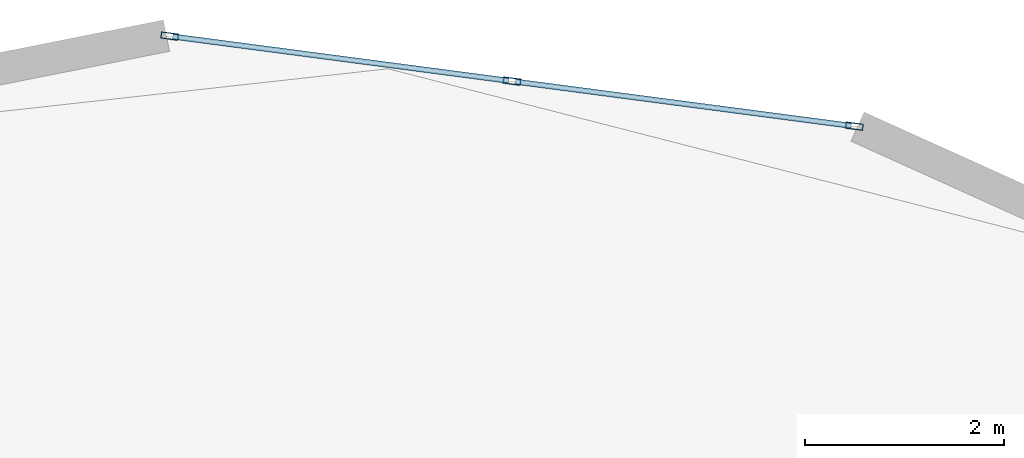
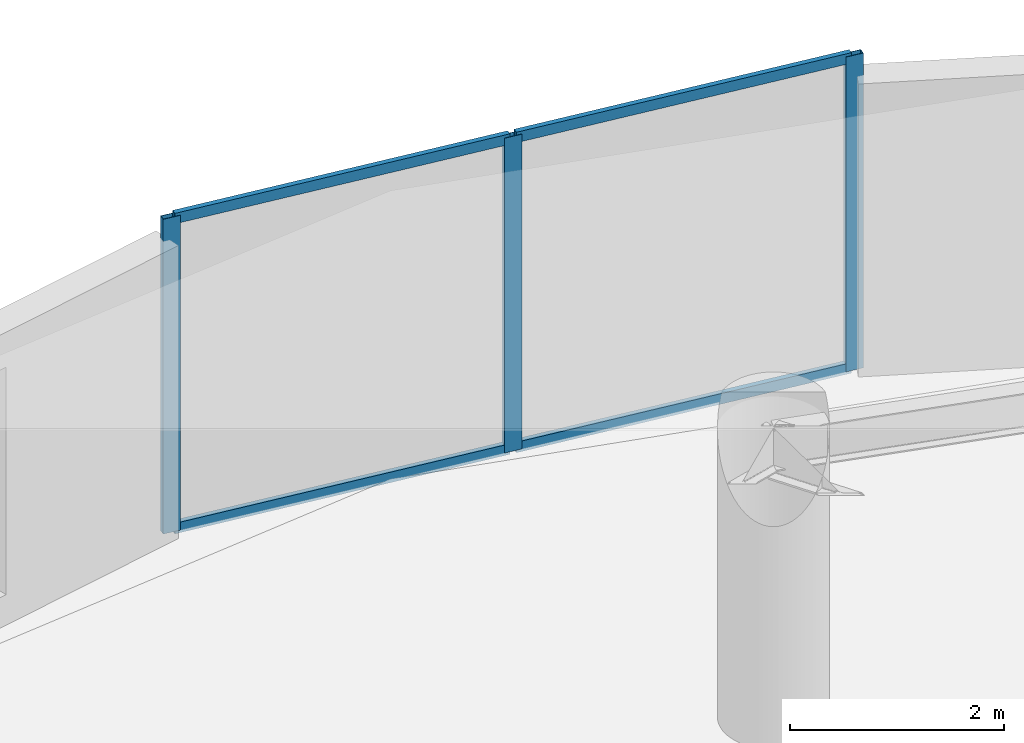
# One storey, part 15 of 22: 7 members, 1 element without a shape of its own.
"""IFC4 building model written with IfcOpenShell, lengths in metres."""

from ifc_helpers import new_model, si_unit, direction, frame, origin, origin_2d, place, context, subcontext, project, spatial, hollow_rectangle, extrude, source, transform, mapped, material, layer, layer_set, material_profile, profile_set, type_object, element, aggregate, save


model = new_model("IFC4")

# Units and contexts
model_context = context("Model", 3, precision=1e-05, world=origin(), true_north=direction((0.0, 1.0)))
body_context = subcontext(model_context, "Body", "Model", "MODEL_VIEW")
ifc_project = project(units=[si_unit("LENGTHUNIT", "METRE"), si_unit("AREAUNIT", "SQUARE_METRE"), si_unit("VOLUMEUNIT", "CUBIC_METRE"), si_unit("PLANEANGLEUNIT", "RADIAN"), si_unit("MASSUNIT", "GRAM", prefix="KILO")], contexts=[model_context])

# Site, building, storey
site_placement = place(None, origin())
site = spatial("IfcSite", under=ifc_project, at=site_placement, CompositionType="ELEMENT")
building_placement = place(site_placement, origin())
building = spatial("IfcBuilding", under=site, at=building_placement, Name="Solvirekh Grand Hotel", CompositionType="ELEMENT")
storey_placement = place(building_placement, frame((0.0, 0.0, 153.0)))
storey = spatial("IfcBuildingStorey", under=building, at=storey_placement, Name="L39", CompositionType="ELEMENT", Elevation=153.0)

# Curtain wall, members
ifc_material = material(Name="Anodized Bronze Aluminium 6063-T6", Category="aluminium")
ifc_layer = layer(ifc_material, 0.175048828125)
ifc_layer_set = layer_set([ifc_layer], Name="Anodized Bronze Aluminium 6063-T6")
curtain_wall_type = type_object("IfcCurtainWallType", Name="CW_Sys3_MidZoneFlushBronzeCW", PredefinedType="NOTDEFINED", material=ifc_layer_set)
curtain_wall_placement = place(storey_placement, origin())
curtain_wall = element("IfcCurtainWall", 1, at=curtain_wall_placement, inside=storey, type_object=curtain_wall_type, Name="L39 unitised bronze-glass curtain wall CW-L39-C08", PredefinedType="NOTDEFINED")
ifc_material_profile_1 = material_profile(ifc_material, hollow_rectangle(XDim=0.054931640625, YDim=0.1201171875, WallThickness=0.00390625, at=origin_2d()), Name="ALU RHS 120X55X4")
ifc_profile_set_1 = profile_set([ifc_material_profile_1], Name="Anodized Bronze Aluminium 6063-T6")
member_type_1 = type_object("IfcMemberType", Name="CWTransom_Sys3", PredefinedType="USERDEFINED", material=ifc_profile_set_1)
shared_shape_1 = source(origin(), body_context, "Body", "SweptSolid", [
    extrude(hollow_rectangle(XDim=0.054931640625, YDim=0.1201171875, WallThickness=0.00390625, at=origin_2d()), origin(), (0.0, 0.0, 1.0), 3.397216796875),
])
member_1_placement = place(storey_placement, frame((3.4814453125, 21.591552734375, 0.027587890625), z_axis=(-0.991456741438, 0.13043592242, 0.0), x_axis=(-0.13043592242, -0.991456741438, 0.0)))
member_1 = element("IfcMember", 2, at=member_1_placement, type_object=member_type_1, Name="U03 transom 1.1", ObjectType="TRANSOM", PredefinedType="USERDEFINED", context=body_context, shape_type="MappedRepresentation", body=[
    mapped(shared_shape_1, transform((0.0, 0.0, 0.0), x_axis=(1.0, 0.0, 0.0), y_axis=(0.0, 1.0, 0.0), z_axis=(0.0, 0.0, 1.0), scale=1.0)),
])
member_2_placement = place(storey_placement, frame((3.4814453125, 21.591552734375, 3.572509765625), z_axis=(-0.991456741438, 0.13043592242, 0.0), x_axis=(-0.13043592242, -0.991456741438, 0.0)))
member_2 = element("IfcMember", 3, at=member_2_placement, type_object=member_type_1, Name="U03 transom 1.2", ObjectType="TRANSOM", PredefinedType="USERDEFINED", context=body_context, shape_type="MappedRepresentation", body=[
    mapped(shared_shape_1, transform((0.0, 0.0, 0.0), x_axis=(1.0, 0.0, 0.0), y_axis=(0.0, 1.0, 0.0), z_axis=(0.0, 0.0, 1.0), scale=1.0)),
])
ifc_material_profile_2 = material_profile(ifc_material, hollow_rectangle(XDim=0.06494140625, YDim=0.175048828125, WallThickness=0.0048828125, at=origin_2d()), Name="ALU RHS 175X65X5")
ifc_profile_set_2 = profile_set([ifc_material_profile_2], Name="Anodized Bronze Aluminium 6063-T6")
member_type_2 = type_object("IfcMemberType", Name="CWMullion_Sys3", PredefinedType="MULLION", material=ifc_profile_set_2)
shared_shape_2 = source(origin(), body_context, "Body", "SweptSolid", [
    extrude(hollow_rectangle(XDim=0.06494140625, YDim=0.175048828125, WallThickness=0.0048828125, at=origin_2d()), origin(), (0.0, 0.0, 1.0), 3.60009765625),
])
member_3_placement = place(storey_placement, frame((3.513671875, 21.587158203125, 0.0), z_axis=(0.0, 0.0, 1.0), x_axis=(-0.130476717564, -0.99145137358, 0.0)))
member_3 = element("IfcMember", 4, at=member_3_placement, type_object=member_type_2, Name="U03 mullion 1", PredefinedType="MULLION", context=body_context, shape_type="MappedRepresentation", body=[
    mapped(shared_shape_2, transform((0.0, 0.0, 0.0), x_axis=(1.0, 0.0, 0.0), y_axis=(0.0, 1.0, 0.0), z_axis=(0.0, 0.0, 1.0), scale=1.0)),
])
member_4_placement = place(storey_placement, frame((0.0810546875, 22.0390625, 0.0), z_axis=(0.0, 0.0, 1.0), x_axis=(-0.130476717564, -0.99145137358, 0.0)))
member_4 = element("IfcMember", 5, at=member_4_placement, type_object=member_type_2, Name="U03 mullion 2", PredefinedType="MULLION", context=body_context, shape_type="MappedRepresentation", body=[
    mapped(shared_shape_2, transform((0.0, 0.0, 0.0), x_axis=(1.0, 0.0, 0.0), y_axis=(0.0, 1.0, 0.0), z_axis=(0.0, 0.0, 1.0), scale=1.0)),
])
member_5_placement = place(storey_placement, frame((-3.351806640625, 22.49072265625, 0.0), z_axis=(0.0, 0.0, 1.0), x_axis=(-0.130476717564, -0.99145137358, 0.0)))
member_5 = element("IfcMember", 6, at=member_5_placement, type_object=member_type_2, Name="U03 mullion 3", PredefinedType="MULLION", context=body_context, shape_type="MappedRepresentation", body=[
    mapped(shared_shape_2, transform((0.0, 0.0, 0.0), x_axis=(1.0, 0.0, 0.0), y_axis=(0.0, 1.0, 0.0), z_axis=(0.0, 0.0, 1.0), scale=1.0)),
])
shared_shape_3 = source(origin(), body_context, "Body", "SweptSolid", [
    extrude(hollow_rectangle(XDim=0.054931640625, YDim=0.1201171875, WallThickness=0.00390625, at=origin_2d()), origin(), (0.0, 0.0, 1.0), 3.3974609375),
])
member_6_placement = place(storey_placement, frame((0.048828125, 22.043212890625, 0.027587890625), z_axis=(-0.991448669114, 0.130497266298, 0.0), x_axis=(-0.130497266298, -0.991448669114, 0.0)))
member_6 = element("IfcMember", 7, at=member_6_placement, type_object=member_type_1, Name="U03 transom 2.1", ObjectType="TRANSOM", PredefinedType="USERDEFINED", context=body_context, shape_type="MappedRepresentation", body=[
    mapped(shared_shape_3, transform((0.0, 0.0, 0.0), x_axis=(1.0, 0.0, 0.0), y_axis=(0.0, 1.0, 0.0), z_axis=(0.0, 0.0, 1.0), scale=1.0)),
])
member_7_placement = place(storey_placement, frame((0.048828125, 22.043212890625, 3.572509765625), z_axis=(-0.991448669114, 0.130497266298, 0.0), x_axis=(-0.130497266298, -0.991448669114, 0.0)))
member_7 = element("IfcMember", 8, at=member_7_placement, type_object=member_type_1, Name="U03 transom 2.2", ObjectType="TRANSOM", PredefinedType="USERDEFINED", context=body_context, shape_type="MappedRepresentation", body=[
    mapped(shared_shape_3, transform((0.0, 0.0, 0.0), x_axis=(1.0, 0.0, 0.0), y_axis=(0.0, 1.0, 0.0), z_axis=(0.0, 0.0, 1.0), scale=1.0)),
])
aggregate(curtain_wall, [member_3, member_4, member_5, member_1, member_2, member_6, member_7])

save(model, "model.ifc")
